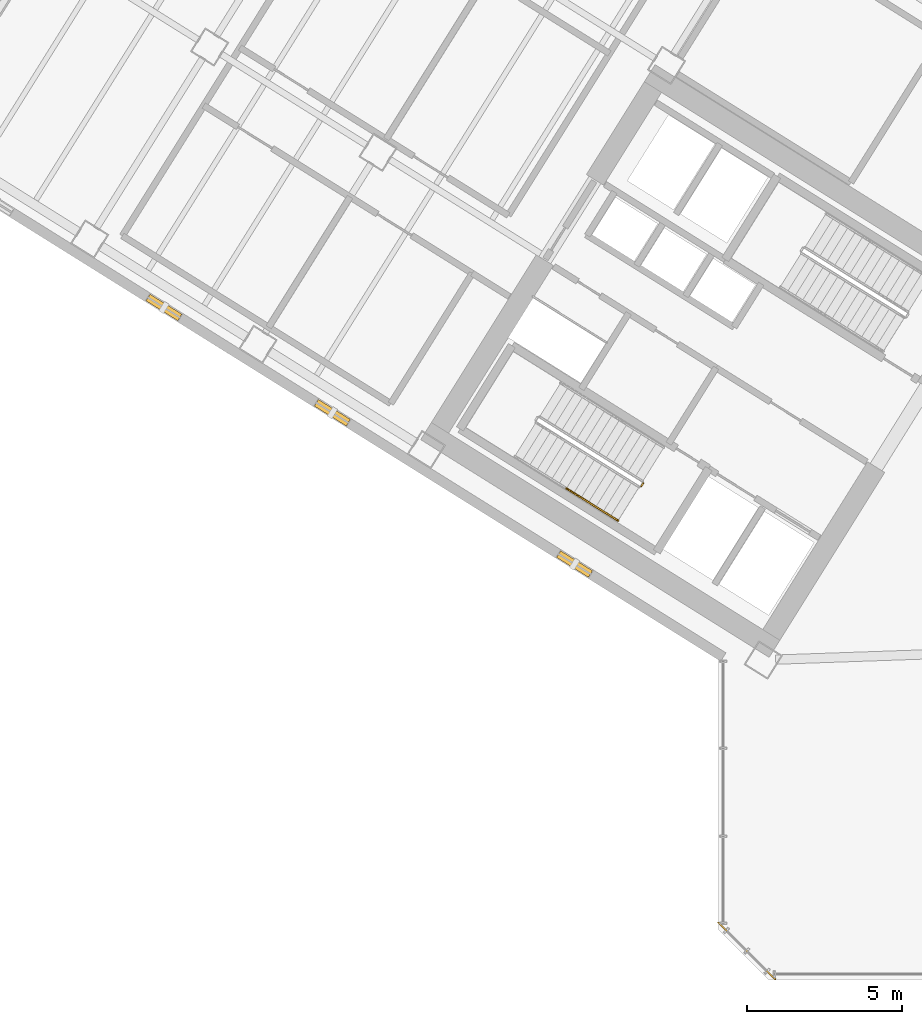
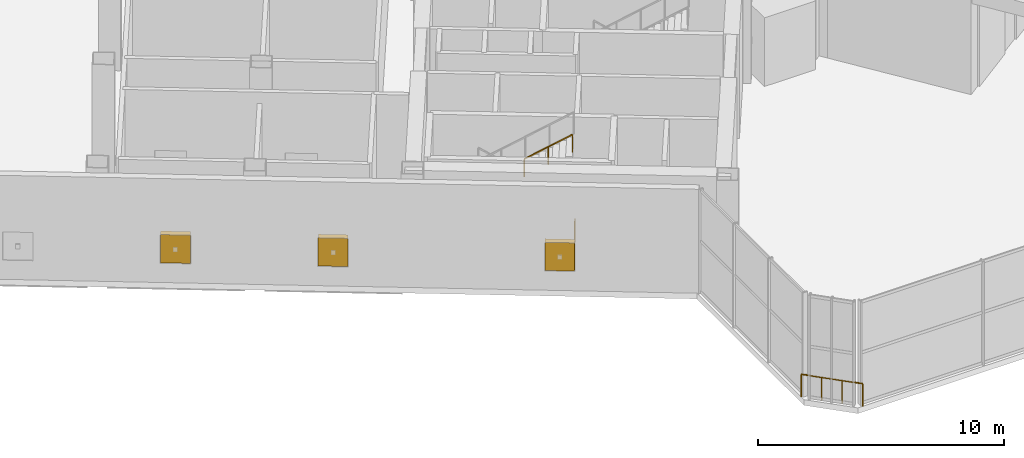
# One storey, part 18 of 21: 3 railings, 3 shading devices.
"""IFC4 building model written with IfcOpenShell, lengths in metres."""

from ifc_helpers import new_model, si_unit, direction, frame, origin, origin_2d, place, context, subcontext, project, spatial, rectangle, extrude, source, transform, mapped, material, type_object, element, save


model = new_model("IFC4")

# Units and contexts
model_context = context("Model", 3, precision=1e-05, world=origin(), true_north=direction((0.0, 1.0)))
body_context = subcontext(model_context, "Body", "Model", "MODEL_VIEW")
ifc_project = project(units=[si_unit("LENGTHUNIT", "METRE"), si_unit("AREAUNIT", "SQUARE_METRE"), si_unit("VOLUMEUNIT", "CUBIC_METRE"), si_unit("PLANEANGLEUNIT", "RADIAN"), si_unit("MASSUNIT", "GRAM", prefix="KILO")], contexts=[model_context])

# Site, building, storey
site_placement = place(None, origin())
site = spatial("IfcSite", under=ifc_project, at=site_placement, CompositionType="ELEMENT")
building_placement = place(site_placement, origin())
building = spatial("IfcBuilding", under=site, at=building_placement, Name="Tlacorven Tower", CompositionType="ELEMENT")
storey_placement = place(building_placement, frame((0.0, 0.0, 84.60009765625)))
storey = spatial("IfcBuildingStorey", under=building, at=storey_placement, Name="L21", CompositionType="ELEMENT", Elevation=84.60009765625)

# Railing
ifc_material_1 = material(Name="Aluminium and painted steel balustrade", Category="steel")
railing_type_1 = type_object("IfcRailingType", Name="RL-GRD-1150", PredefinedType="GUARDRAIL", material=ifc_material_1)
shared_shape_1 = source(origin(), body_context, "Body", "SweptSolid", [
    extrude(rectangle(XDim=0.048095703125, YDim=0.048095703125, at=origin_2d()), frame((0.0, 0.0, 1.1259765625), z_axis=(-0.707106781187, 0.707106781187, 0.0), x_axis=(-0.707106781187, -0.707106781187, 0.0)), (0.0, 0.0, 1.0), 2.590087890625),
    extrude(rectangle(XDim=0.0419921875, YDim=0.0419921875, at=origin_2d()), origin(), (0.0, 0.0, 1.0), 1.101806640625),
    extrude(rectangle(XDim=0.0419921875, YDim=0.0419921875, at=origin_2d()), frame((-0.610595703125, 0.610595703125, 0.0)), (0.0, 0.0, 1.0), 1.101806640625),
    extrude(rectangle(XDim=0.0419921875, YDim=0.0419921875, at=origin_2d()), frame((-1.220947265625, 1.220947265625, 0.0)), (0.0, 0.0, 1.0), 1.101806640625),
    extrude(rectangle(XDim=0.0419921875, YDim=0.0419921875, at=origin_2d()), frame((-1.83154296875, 1.83154296875, 0.0)), (0.0, 0.0, 1.0), 1.101806640625),
])
railing_1_placement = place(storey_placement, frame((33.428955078125, 1.79736328125, 0.0)))
element("IfcRailing", 1, at=railing_1_placement, inside=storey, type_object=railing_type_1, Name="L21 Knuckle Glazed Sill Guard 1", PredefinedType="GUARDRAIL", context=body_context, shape_type="MappedRepresentation", body=[
    mapped(shared_shape_1, transform((0.0, 0.0, 0.0), scale=1.0)),
])

# Shading devices
ifc_material_2 = material(Name="Anodised bronze aluminium acoustic louvre", Category="aluminium")
shading_device_type = type_object("IfcShadingDeviceType", Name="SH-LVR-WND", PredefinedType="JALOUSIE", material=ifc_material_2)
shared_shape_2 = source(origin(), body_context, "Body", "SweptSolid", [
    extrude(rectangle(XDim=1.2099609375, YDim=0.25, at=origin_2d()), origin(), (0.0, 0.0, 1.0), 1.39990234375),
])
for number, where, z_axis, x_axis, name in (
    (2, (26.965087890625, 15.17919921875, 0.949951171875), (0.0, 0.0, 1.0), (-0.848048152806, 0.529919173576, 0.0), "L21 Storm-Resistant Acoustic Louvre Bank 1.1"),
    (3, (19.159423828125, 20.056640625, 0.949951171875), (0.0, 0.0, 1.0), (-0.848048152806, 0.529919173576, 0.0), "L21 Storm-Resistant Acoustic Louvre Bank 1.2"),
    (4, (13.73193359375, 23.4482421875, 0.949951171875), (0.0, 0.0, 1.0), (-0.848048152806, 0.529919173576, 0.0), "L21 Storm-Resistant Acoustic Louvre Bank 1.3"),
):
    element("IfcShadingDevice", number, at=place(storey_placement, frame(where, z_axis=z_axis, x_axis=x_axis)), inside=storey, type_object=shading_device_type, Name=name, PredefinedType="JALOUSIE", context=body_context, shape_type="MappedRepresentation", body=[
        mapped(shared_shape_2, transform((0.0, 0.0, 0.0), scale=1.0)),
    ])

# Railings
railing_type_2 = type_object("IfcRailingType", Name="RL-GRD-1100", PredefinedType="GUARDRAIL", material=ifc_material_1)
shared_shape_3 = source(origin(), body_context, "Body", "SweptSolid", [
    extrude(rectangle(XDim=0.048095703125, YDim=0.048095703125, at=origin_2d()), frame((0.0, 0.0, 1.076171875), z_axis=(-0.529084052582, -0.848569422795, 0.0), x_axis=(0.848569422795, -0.529084052582, 0.0)), (0.0, 0.0, 1.0), 0.119873046875),
    extrude(rectangle(XDim=0.0419921875, YDim=0.0419921875, at=origin_2d()), origin(), (0.0, 0.0, 1.0), 1.052001953125),
    extrude(rectangle(XDim=0.0419921875, YDim=0.0419921875, at=origin_2d()), frame((-0.0634765625, -0.101806640625, 0.0)), (0.0, 0.0, 1.0), 1.052001953125),
])
railing_2_placement = place(storey_placement, frame((29.176513671875, 17.782958984375, 0.0)))
element("IfcRailing", 5, at=railing_2_placement, inside=storey, type_object=railing_type_2, Name="L21 ST-W1 stair guard 4", PredefinedType="GUARDRAIL", context=body_context, shape_type="MappedRepresentation", body=[
    mapped(shared_shape_3, transform((0.0, 0.0, 0.0), scale=1.0)),
])
railing_type_3 = type_object("IfcRailingType", Name="RL-HND-0900", PredefinedType="HANDRAIL", material=ifc_material_1)
shared_shape_4 = source(origin(), body_context, "Body", "SweptSolid", [
    extrude(rectangle(XDim=0.048095703125, YDim=0.048095703125, at=origin_2d()), frame((0.0, 0.0, 0.8759765625), z_axis=(0.713353726602, -0.445741297439, 0.540778287749), x_axis=(0.52990936055, 0.848054284584, 0.0)), (0.0, 0.0, 1.0), 2.330078125),
    extrude(rectangle(XDim=0.0419921875, YDim=0.0419921875, at=origin_2d()), origin(), (0.0, 0.0, 1.0), 0.851806640625),
    extrude(rectangle(XDim=0.0419921875, YDim=0.0419921875, at=origin_2d()), frame((0.8310546875, -0.519287109375, 0.6298828125)), (0.0, 0.0, 1.0), 0.851806640625),
    extrude(rectangle(XDim=0.0419921875, YDim=0.0419921875, at=origin_2d()), frame((1.662109375, -1.03857421875, 1.260009765625)), (0.0, 0.0, 1.0), 0.851806640625),
])
railing_3_placement = place(storey_placement, frame((26.70361328125, 17.618408203125, 4.139892578125)))
element("IfcRailing", 6, at=railing_3_placement, inside=storey, type_object=railing_type_3, Name="L21 ST-W1 stair handrail 4", PredefinedType="HANDRAIL", context=body_context, shape_type="MappedRepresentation", body=[
    mapped(shared_shape_4, transform((0.0, 0.0, 0.0), scale=1.0)),
])

save(model, "model.ifc")
